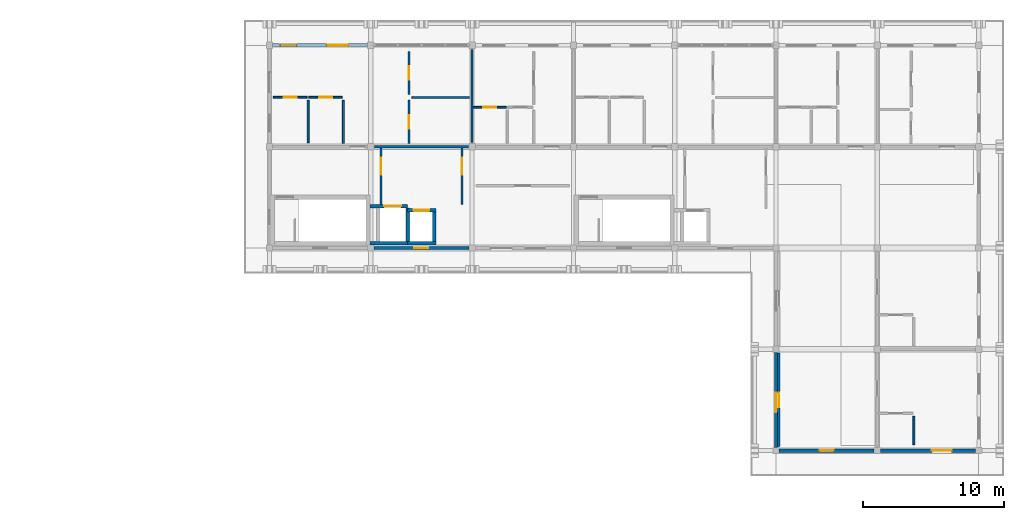
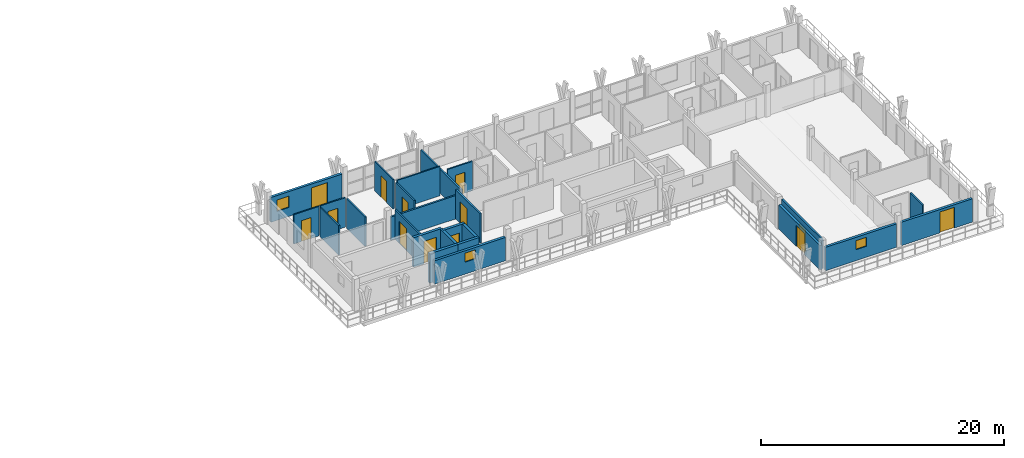
# One storey, part 23 of 32: 25 walls, 13 doors, 3 windows, 16 openings.
"""IFC4 building model written with IfcOpenShell, lengths in metres."""

from ifc_helpers import new_model, si_unit, direction, frame, frame_2d, origin, place, context, subcontext, project, spatial, rectangle, extrude, material, layer, layer_set, type_object, element, fill, save


model = new_model("IFC4")

# Units and contexts
model_context = context("Model", 3, precision=1e-05, world=origin(), true_north=direction((0.0, 1.0)))
body_context = subcontext(model_context, "Body", "Model", "MODEL_VIEW")
ifc_project = project(units=[si_unit("LENGTHUNIT", "METRE"), si_unit("AREAUNIT", "SQUARE_METRE"), si_unit("VOLUMEUNIT", "CUBIC_METRE"), si_unit("PLANEANGLEUNIT", "RADIAN"), si_unit("MASSUNIT", "GRAM", prefix="KILO")], contexts=[model_context])

# Site, building, storey
site_placement = place(None, origin())
site = spatial("IfcSite", under=ifc_project, at=site_placement, CompositionType="ELEMENT")
building_placement = place(site_placement, origin())
building = spatial("IfcBuilding", under=site, at=building_placement, Name="Suanplinth Sawtooth Commons", CompositionType="ELEMENT")
storey_placement = place(building_placement, frame((0.0, 0.0, 41.199951171875)))
storey = spatial("IfcBuildingStorey", under=building, at=storey_placement, Name="L12", CompositionType="ELEMENT", Elevation=41.199951171875)

# Wall, openings, door, window
ifc_material_1 = material(Name="Precast concrete C40/50", Category="concrete")
ifc_layer_1 = layer(ifc_material_1, 0.239990234375, Name="Upper insulated precast facade wall 240mm")
ifc_layer_set_1 = layer_set([ifc_layer_1], Name="Precast concrete C40/50")
wall_type_1 = type_object("IfcWallType", Name="W-EX03", PredefinedType="ELEMENTEDWALL", material=ifc_layer_set_1)
wall_1_placement = place(storey_placement, frame((137.02490234375, 122.39990234375, 0.0), z_axis=(0.0, 0.0, 1.0), x_axis=(1.0, 0.0, 0.0)))
wall_1 = element("IfcWall", 1, at=wall_1_placement, inside=storey, type_object=wall_type_1, Name="Facade Wall W-L12-B-N-19-16", PredefinedType="ELEMENTEDWALL", context=body_context, shape_type="SweptSolid", body=[
    extrude(rectangle(XDim=6.75, YDim=0.239990234375, at=frame_2d((3.375, 0.0))), origin(), (0.0, 0.0, 1.0), 2.4951171875),
])
opening_1_placement = place(wall_1_placement, frame((3.85009765625, 0.0, 0.0)))
opening_1 = element("IfcOpeningElement", 2, at=opening_1_placement, cuts=wall_1, Name="Opening ED0819", PredefinedType="OPENING", context=body_context, shape_type="SweptSolid", body=[
    extrude(rectangle(XDim=1.5, YDim=2.1201171875, at=frame_2d((0.75, 1.06005859375))), frame((0.0, 0.134765625, 0.0), z_axis=(0.0, -1.0, 0.0), x_axis=(1.0, 0.0, 0.0)), (0.0, 0.0, 1.0), 0.269775390625),
])
opening_2_placement = place(wall_1_placement, frame((0.550048828125, 0.0, 0.89990234375)))
opening_2 = element("IfcOpeningElement", 3, at=opening_2_placement, cuts=wall_1, Name="Opening W0903", PredefinedType="OPENING", context=body_context, shape_type="SweptSolid", body=[
    extrude(rectangle(XDim=1.14990234375, YDim=1.14990234375, at=frame_2d((0.574951171875, 0.574951171875))), frame((0.0, 0.134765625, 0.0), z_axis=(0.0, -1.0, 0.0), x_axis=(1.0, 0.0, 0.0)), (0.0, 0.0, 1.0), 0.269775390625),
])
ifc_material_2 = material(Name="Anodized aluminium and low-E glass", Category="aluminium")
door_type_1 = type_object("IfcDoorType", Name="SD-03", OperationType="SLIDING_TO_LEFT", PredefinedType="DOOR", material=ifc_material_2)
door_1_placement = place(opening_1_placement, frame((1.5, 0.0, 0.0), z_axis=(0.0, 0.0, 1.0), x_axis=(-1.0, 0.0, 0.0)))
door_1 = element("IfcDoor", 4, at=door_1_placement, inside=storey, type_object=door_type_1, Name="Balcony Sliding Door L12-B-19", OperationType="SLIDING_TO_LEFT", OverallHeight=2.1201171875, OverallWidth=1.5, PredefinedType="DOOR", context=body_context, shape_type="SweptSolid", body=[
    extrude(rectangle(XDim=1.5, YDim=2.1201171875, at=frame_2d((0.75, 1.06005859375))), frame((0.0, 0.02490234375, 0.0), z_axis=(0.0, -1.0, 0.0), x_axis=(1.0, 0.0, 0.0)), (0.0, 0.0, 1.0), 0.050048828125),
])
fill(opening_1, door_1)
ifc_material_3 = material(Name="Thermally broken aluminium and low-E double glazing", Category="aluminium")
window_type_1 = type_object("IfcWindowType", Name="WN-20", PartitioningType="SINGLE_PANEL", PredefinedType="WINDOW", material=ifc_material_3)
window_1_placement = place(opening_2_placement, origin())
window_1 = element("IfcWindow", 5, at=window_1_placement, inside=storey, type_object=window_type_1, Name="Apartment Window L12-B-19", OverallHeight=1.14990234375, OverallWidth=1.14990234375, PartitioningType="SINGLE_PANEL", PredefinedType="WINDOW", context=body_context, shape_type="SweptSolid", body=[
    extrude(rectangle(XDim=1.14990234375, YDim=1.14990234375, at=frame_2d((0.574951171875, 0.574951171875))), frame((0.0, 0.030029296875, 0.0), z_axis=(0.0, -1.0, 0.0), x_axis=(1.0, 0.0, 0.0)), (0.0, 0.0, 1.0), 0.06005859375),
])
fill(opening_2, window_1)

# Wall, opening, window
wall_2_placement = place(storey_placement, frame((144.22509765625, 108.0, 0.0), z_axis=(0.0, 0.0, 1.0), x_axis=(1.0, 0.0, 0.0)))
wall_2 = element("IfcWall", 6, at=wall_2_placement, inside=storey, type_object=wall_type_1, Name="Facade Wall W-L12-B-S-20-15", PredefinedType="ELEMENTEDWALL", context=body_context, shape_type="SweptSolid", body=[
    extrude(rectangle(XDim=6.75, YDim=0.239990234375, at=frame_2d((3.375, 0.0))), origin(), (0.0, 0.0, 1.0), 2.344970703125),
])
opening_3_placement = place(wall_2_placement, frame((2.875, 0.0, 1.199951171875)))
opening_3 = element("IfcOpeningElement", 7, at=opening_3_placement, cuts=wall_2, Name="Opening W0905", PredefinedType="OPENING", context=body_context, shape_type="SweptSolid", body=[
    extrude(rectangle(XDim=1.0, YDim=0.89990234375, at=frame_2d((0.5, 0.449951171875))), frame((0.0, 0.134765625, 0.0), z_axis=(0.0, -1.0, 0.0), x_axis=(1.0, 0.0, 0.0)), (0.0, 0.0, 1.0), 0.269775390625),
])
window_type_2 = type_object("IfcWindowType", Name="WN-12", PartitioningType="SINGLE_PANEL", PredefinedType="WINDOW", material=ifc_material_3)
window_2_placement = place(opening_3_placement, origin())
window_2 = element("IfcWindow", 8, at=window_2_placement, inside=storey, type_object=window_type_2, Name="Core Daylight Window L12-B-20-15", OverallHeight=0.89990234375, OverallWidth=1.0, PartitioningType="SINGLE_PANEL", PredefinedType="WINDOW", context=body_context, shape_type="SweptSolid", body=[
    extrude(rectangle(XDim=1.0, YDim=0.89990234375, at=frame_2d((0.5, 0.449951171875))), frame((0.0, 0.030029296875, 0.0), z_axis=(0.0, -1.0, 0.0), x_axis=(1.0, 0.0, 0.0)), (0.0, 0.0, 1.0), 0.06005859375),
])
fill(opening_3, window_2)

wall_3_placement = place(storey_placement, frame((173.02490234375, 93.60009765625, 0.0), z_axis=(0.0, 0.0, 1.0), x_axis=(1.0, 0.0, 0.0)))
wall_3 = element("IfcWall", 9, at=wall_3_placement, inside=storey, type_object=wall_type_1, Name="Facade Wall W-L12-B-S-24-13", PredefinedType="ELEMENTEDWALL", context=body_context, shape_type="SweptSolid", body=[
    extrude(rectangle(XDim=6.75, YDim=0.239990234375, at=frame_2d((3.375, 0.0))), origin(), (0.0, 0.0, 1.0), 2.344970703125),
])
opening_4_placement = place(wall_3_placement, frame((2.875, 0.0, 1.10009765625)))
opening_4 = element("IfcOpeningElement", 10, at=opening_4_placement, cuts=wall_3, Name="Opening W0911", PredefinedType="OPENING", context=body_context, shape_type="SweptSolid", body=[
    extrude(rectangle(XDim=1.0, YDim=0.89990234375, at=frame_2d((0.5, 0.449951171875))), frame((0.0, 0.134765625, 0.0), z_axis=(0.0, -1.0, 0.0), x_axis=(1.0, 0.0, 0.0)), (0.0, 0.0, 1.0), 0.269775390625),
])
window_3_placement = place(opening_4_placement, origin())
window_3 = element("IfcWindow", 11, at=window_3_placement, inside=storey, type_object=window_type_2, Name="End Window L12-B-S-24-13", OverallHeight=0.89990234375, OverallWidth=1.0, PartitioningType="SINGLE_PANEL", PredefinedType="WINDOW", context=body_context, shape_type="SweptSolid", body=[
    extrude(rectangle(XDim=1.0, YDim=0.89990234375, at=frame_2d((0.5, 0.449951171875))), frame((0.0, 0.030029296875, 0.0), z_axis=(0.0, -1.0, 0.0), x_axis=(1.0, 0.0, 0.0)), (0.0, 0.0, 1.0), 0.06005859375),
])
fill(opening_4, window_3)

# Wall, opening, door
wall_4_placement = place(storey_placement, frame((172.800048828125, 93.824951171875, 0.0), z_axis=(0.0, 0.0, 1.0), x_axis=(0.0, 1.0, 0.0)))
wall_4 = element("IfcWall", 12, at=wall_4_placement, inside=storey, type_object=wall_type_1, Name="Facade Wall W-L12-B-W-24-13", PredefinedType="ELEMENTEDWALL", context=body_context, shape_type="SweptSolid", body=[
    extrude(rectangle(XDim=6.75, YDim=0.239990234375, at=frame_2d((3.375, 0.0))), origin(), (0.0, 0.0, 1.0), 2.445068359375),
])
opening_5_placement = place(wall_4_placement, frame((2.5, 0.0, 0.0)))
opening_5 = element("IfcOpeningElement", 13, at=opening_5_placement, cuts=wall_4, Name="Opening ED0824", PredefinedType="OPENING", context=body_context, shape_type="SweptSolid", body=[
    extrude(rectangle(XDim=1.39990234375, YDim=2.10009765625, at=frame_2d((0.699951171875, 1.050048828125))), frame((0.0, 0.134765625, 0.0), z_axis=(0.0, -1.0, 0.0), x_axis=(1.0, 0.0, 0.0)), (0.0, 0.0, 1.0), 0.269775390625),
])
door_type_2 = type_object("IfcDoorType", Name="SD-07", OperationType="SLIDING_TO_RIGHT", PredefinedType="DOOR", material=ifc_material_2)
door_2_placement = place(opening_5_placement, frame((1.39990234375, 0.0, 0.0), z_axis=(0.0, 0.0, 1.0), x_axis=(-1.0, 0.0, 0.0)))
door_2 = element("IfcDoor", 14, at=door_2_placement, inside=storey, type_object=door_type_2, Name="Courtyard Veranda Studio Balcony Door L12-B-13", OperationType="SLIDING_TO_RIGHT", OverallHeight=2.10009765625, OverallWidth=1.39990234375, PredefinedType="DOOR", context=body_context, shape_type="SweptSolid", body=[
    extrude(rectangle(XDim=1.39990234375, YDim=2.10009765625, at=frame_2d((0.699951171875, 1.050048828125))), frame((0.0, 0.02490234375, 0.0), z_axis=(0.0, -1.0, 0.0), x_axis=(1.0, 0.0, 0.0)), (0.0, 0.0, 1.0), 0.050048828125),
])
fill(opening_5, door_2)

wall_5_placement = place(storey_placement, frame((180.22509765625, 93.60009765625, 0.0), z_axis=(0.0, 0.0, 1.0), x_axis=(1.0, 0.0, 0.0)))
wall_5 = element("IfcWall", 15, at=wall_5_placement, inside=storey, type_object=wall_type_1, Name="Facade Wall W-L12-B-S-25-13", PredefinedType="ELEMENTEDWALL", context=body_context, shape_type="SweptSolid", body=[
    extrude(rectangle(XDim=6.75, YDim=0.239990234375, at=frame_2d((3.375, 0.0))), origin(), (0.0, 0.0, 1.0), 2.344970703125),
])
opening_6_placement = place(wall_5_placement, frame((3.64990234375, 0.0, 0.0)))
opening_6 = element("IfcOpeningElement", 16, at=opening_6_placement, cuts=wall_5, Name="Opening ED0827", PredefinedType="OPENING", context=body_context, shape_type="SweptSolid", body=[
    extrude(rectangle(XDim=1.39990234375, YDim=2.10009765625, at=frame_2d((0.699951171875, 1.050048828125))), frame((0.0, 0.134765625, 0.0), z_axis=(0.0, -1.0, 0.0), x_axis=(1.0, 0.0, 0.0)), (0.0, 0.0, 1.0), 0.269775390625),
])
door_3_placement = place(opening_6_placement, frame((1.39990234375, 0.0, 0.0), z_axis=(0.0, 0.0, 1.0), x_axis=(-1.0, 0.0, 0.0)))
door_3 = element("IfcDoor", 17, at=door_3_placement, inside=storey, type_object=door_type_2, Name="End Balcony Sliding Door L12-B-S-25-13", OperationType="SLIDING_TO_RIGHT", OverallHeight=2.10009765625, OverallWidth=1.39990234375, PredefinedType="DOOR", context=body_context, shape_type="SweptSolid", body=[
    extrude(rectangle(XDim=1.39990234375, YDim=2.10009765625, at=frame_2d((0.699951171875, 1.050048828125))), frame((0.0, 0.02490234375, 0.0), z_axis=(0.0, -1.0, 0.0), x_axis=(1.0, 0.0, 0.0)), (0.0, 0.0, 1.0), 0.050048828125),
])
fill(opening_6, door_3)

ifc_layer_2 = layer(ifc_material_1, 0.159912109375, Name="Fire-rated corridor and lobby wall 160mm")
ifc_layer_set_2 = layer_set([ifc_layer_2], Name="Precast concrete C40/50")
wall_type_2 = type_object("IfcWallType", Name="W-FW01", PredefinedType="PARTITIONING", material=ifc_layer_set_2)
wall_6_placement = place(storey_placement, frame((144.719970703125, 111.10009765625, 0.0), z_axis=(0.0, 0.0, 1.0), x_axis=(0.0, 1.0, 0.0)))
wall_6 = element("IfcWall", 18, at=wall_6_placement, inside=storey, type_object=wall_type_2, Name="W-L12-C-B1-LOB-W", PredefinedType="PARTITIONING", context=body_context, shape_type="SweptSolid", body=[
    extrude(rectangle(XDim=4.02001953125, YDim=0.159912109375, at=frame_2d((2.010009765625, 0.0))), origin(), (0.0, 0.0, 1.0), 2.949951171875),
])
opening_7_placement = place(wall_6_placement, frame((2.10009765625, 0.0, 0.0)))
opening_7 = element("IfcOpeningElement", 19, at=opening_7_placement, cuts=wall_6, Name="Opening FD0220", PredefinedType="OPENING", context=body_context, shape_type="SweptSolid", body=[
    extrude(rectangle(XDim=1.199951171875, YDim=2.199951171875, at=frame_2d((0.60009765625, 1.10009765625))), frame((0.0, 0.0947265625, 0.0), z_axis=(0.0, -1.0, 0.0), x_axis=(1.0, 0.0, 0.0)), (0.0, 0.0, 1.0), 0.189697265625),
])
ifc_material_4 = material(Name="Teak hardwood fire-rated door assembly", Category="wood")
door_type_3 = type_object("IfcDoorType", Name="FD-02", OperationType="NOTDEFINED", PredefinedType="DOOR", material=ifc_material_4)
door_4_placement = place(opening_7_placement, origin())
door_4 = element("IfcDoor", 20, at=door_4_placement, inside=storey, type_object=door_type_3, Name="Lobby Fire Door FD0220", OperationType="SINGLE_SWING_RIGHT", OverallHeight=2.199951171875, OverallWidth=1.199951171875, PredefinedType="DOOR", context=body_context, shape_type="SweptSolid", body=[
    extrude(rectangle(XDim=1.199951171875, YDim=2.199951171875, at=frame_2d((0.60009765625, 1.10009765625))), frame((0.0, 0.02490234375, 0.0), z_axis=(0.0, -1.0, 0.0), x_axis=(1.0, 0.0, 0.0)), (0.0, 0.0, 1.0), 0.050048828125),
])
fill(opening_7, door_4)

wall_7_placement = place(storey_placement, frame((150.47998046875, 111.10009765625, 0.0), z_axis=(0.0, 0.0, 1.0), x_axis=(0.0, 1.0, 0.0)))
wall_7 = element("IfcWall", 21, at=wall_7_placement, inside=storey, type_object=wall_type_2, Name="W-L12-C-B1-LOB-E", PredefinedType="PARTITIONING", context=body_context, shape_type="SweptSolid", body=[
    extrude(rectangle(XDim=4.02001953125, YDim=0.159912109375, at=frame_2d((2.010009765625, 0.0))), origin(), (0.0, 0.0, 1.0), 2.949951171875),
])
opening_8_placement = place(wall_7_placement, frame((2.10009765625, 0.0, 0.0)))
opening_8 = element("IfcOpeningElement", 22, at=opening_8_placement, cuts=wall_7, Name="Opening FD0221", PredefinedType="OPENING", context=body_context, shape_type="SweptSolid", body=[
    extrude(rectangle(XDim=1.199951171875, YDim=2.199951171875, at=frame_2d((0.60009765625, 1.10009765625))), frame((0.0, 0.0947265625, 0.0), z_axis=(0.0, -1.0, 0.0), x_axis=(1.0, 0.0, 0.0)), (0.0, 0.0, 1.0), 0.189697265625),
])
door_5_placement = place(opening_8_placement, frame((1.199951171875, 0.0, 0.0), z_axis=(0.0, 0.0, 1.0), x_axis=(-1.0, 0.0, 0.0)))
door_5 = element("IfcDoor", 23, at=door_5_placement, inside=storey, type_object=door_type_3, Name="Lobby Fire Door FD0221", OperationType="SINGLE_SWING_LEFT", OverallHeight=2.199951171875, OverallWidth=1.199951171875, PredefinedType="DOOR", context=body_context, shape_type="SweptSolid", body=[
    extrude(rectangle(XDim=1.199951171875, YDim=2.199951171875, at=frame_2d((0.60009765625, 1.10009765625))), frame((0.0, 0.02490234375, 0.0), z_axis=(0.0, -1.0, 0.0), x_axis=(1.0, 0.0, 0.0)), (0.0, 0.0, 1.0), 0.050048828125),
])
fill(opening_8, door_5)

# Wall
wall_8_placement = place(storey_placement, frame((144.2548828125, 115.199951171875, 0.0), z_axis=(0.0, 0.0, 1.0), x_axis=(1.0, 0.0, 0.0)))
element("IfcWall", 24, at=wall_8_placement, inside=storey, type_object=wall_type_2, Name="W-B-L12-U01-COR-S2", PredefinedType="PARTITIONING", context=body_context, shape_type="SweptSolid", body=[
    extrude(rectangle(XDim=6.690185546875, YDim=0.159912109375, at=frame_2d((3.34521484375, 0.0))), origin(), (0.0, 0.0, 1.0), 2.344970703125),
])

# Wall, opening, door
wall_9_placement = place(storey_placement, frame((173.0, 93.8798828125, 0.0), z_axis=(0.0, 0.0, 1.0), x_axis=(0.0, 1.0, 0.0)))
wall_9 = element("IfcWall", 25, at=wall_9_placement, inside=storey, type_object=wall_type_2, Name="W-B-L12-LEGCOURTROOM-18-COR", PredefinedType="PARTITIONING", context=body_context, shape_type="SweptSolid", body=[
    extrude(rectangle(XDim=6.64013671875, YDim=0.159912109375, at=frame_2d((3.320068359375, 0.0))), origin(), (0.0, 0.0, 1.0), 2.949951171875),
])
opening_9_placement = place(wall_9_placement, frame((2.81005859375, 0.0, 0.0)))
opening_9 = element("IfcOpeningElement", 26, at=opening_9_placement, cuts=wall_9, Name="Opening D2034", PredefinedType="OPENING", context=body_context, shape_type="SweptSolid", body=[
    extrude(rectangle(XDim=1.02001953125, YDim=2.179931640625, at=frame_2d((0.510009765625, 1.08984375))), frame((0.0, 0.0947265625, 0.0), z_axis=(0.0, -1.0, 0.0), x_axis=(1.0, 0.0, 0.0)), (0.0, 0.0, 1.0), 0.189697265625),
])
ifc_material_5 = material(Name="Teak hardwood", Category="wood")
door_type_4 = type_object("IfcDoorType", Name="D-16", OperationType="NOTDEFINED", PredefinedType="DOOR", material=ifc_material_5)
door_6_placement = place(opening_9_placement, origin())
door_6 = element("IfcDoor", 27, at=door_6_placement, inside=storey, type_object=door_type_4, Name="Veranda Studio Door D2034", OperationType="SINGLE_SWING_RIGHT", OverallHeight=2.179931640625, OverallWidth=1.02001953125, PredefinedType="DOOR", context=body_context, shape_type="SweptSolid", body=[
    extrude(rectangle(XDim=1.02001953125, YDim=2.179931640625, at=frame_2d((0.510009765625, 1.08984375))), frame((0.0, 0.02490234375, 0.0), z_axis=(0.0, -1.0, 0.0), x_axis=(1.0, 0.0, 0.0)), (0.0, 0.0, 1.0), 0.050048828125),
])
fill(opening_9, door_6)

# Wall
ifc_layer_3 = layer(ifc_material_1, 0.14990234375, Name="Acoustic precast party demising wall 150mm")
ifc_layer_set_3 = layer_set([ifc_layer_3], Name="Precast concrete C40/50")
wall_type_3 = type_object("IfcWallType", Name="W-FW02", PredefinedType="PARTITIONING", material=ifc_layer_set_3)
wall_10_placement = place(storey_placement, frame((151.199951171875, 115.47998046875, 0.0), z_axis=(0.0, 0.0, 1.0), x_axis=(0.0, 1.0, 0.0)))
element("IfcWall", 28, at=wall_10_placement, inside=storey, type_object=wall_type_3, Name="W-B-L12-U01-PTY", PredefinedType="PARTITIONING", context=body_context, shape_type="SweptSolid", body=[
    extrude(rectangle(XDim=6.64013671875, YDim=0.14990234375, at=frame_2d((3.320068359375, 0.0))), origin(), (0.0, 0.0, 1.0), 2.445068359375),
])

# Wall, opening, door
ifc_material_6 = material(Name="Gypsum plasterboard on steel stud", Category="steel")
ifc_layer_4 = layer(ifc_material_6, 0.139892578125, Name="Fire-rated kitchen partition 140mm")
ifc_layer_set_4 = layer_set([ifc_layer_4], Name="Gypsum plasterboard on steel stud")
wall_type_4 = type_object("IfcWallType", Name="W-PT01", PredefinedType="PARTITIONING", material=ifc_layer_set_4)
wall_11_placement = place(storey_placement, frame((139.60009765625, 118.7099609375, 0.0), z_axis=(0.0, 0.0, 1.0), x_axis=(1.0, 0.0, 0.0)))
wall_11 = element("IfcWall", 29, at=wall_11_placement, inside=storey, type_object=wall_type_4, Name="W-B-L12-U01-KIT1", PredefinedType="PARTITIONING", context=body_context, shape_type="SweptSolid", body=[
    extrude(rectangle(XDim=2.3798828125, YDim=0.139892578125, at=frame_2d((1.18994140625, 0.0))), origin(), (0.0, 0.0, 1.0), 2.949951171875),
])
opening_10_placement = place(wall_11_placement, frame((0.72509765625, 0.0, 0.0)))
opening_10 = element("IfcOpeningElement", 30, at=opening_10_placement, cuts=wall_11, Name="Opening D2012", PredefinedType="OPENING", context=body_context, shape_type="SweptSolid", body=[
    extrude(rectangle(XDim=0.929931640625, YDim=2.139892578125, at=frame_2d((0.46484375, 1.06982421875))), frame((0.0, 0.0849609375, 0.0), z_axis=(0.0, -1.0, 0.0), x_axis=(1.0, 0.0, 0.0)), (0.0, 0.0, 1.0), 0.169677734375),
])
door_type_5 = type_object("IfcDoorType", Name="D-19", OperationType="NOTDEFINED", PredefinedType="DOOR", material=ifc_material_5)
door_7_placement = place(opening_10_placement, frame((0.929931640625, 0.0, 0.0), z_axis=(0.0, 0.0, 1.0), x_axis=(-1.0, 0.0, 0.0)))
door_7 = element("IfcDoor", 31, at=door_7_placement, inside=storey, type_object=door_type_5, Name="Kitchen Door D2012", OperationType="SINGLE_SWING_RIGHT", OverallHeight=2.139892578125, OverallWidth=0.929931640625, PredefinedType="DOOR", context=body_context, shape_type="SweptSolid", body=[
    extrude(rectangle(XDim=0.929931640625, YDim=2.139892578125, at=frame_2d((0.46484375, 1.06982421875))), frame((0.0, 0.02490234375, 0.0), z_axis=(0.0, -1.0, 0.0), x_axis=(1.0, 0.0, 0.0)), (0.0, 0.0, 1.0), 0.050048828125),
])
fill(opening_10, door_7)

# Wall
wall_12_placement = place(storey_placement, frame((142.050048828125, 115.429931640625, 0.0), z_axis=(0.0, 0.0, 1.0), x_axis=(0.0, 1.0, 0.0)))
element("IfcWall", 32, at=wall_12_placement, inside=storey, type_object=wall_type_4, Name="W-B-L12-U01-KIT2", PredefinedType="PARTITIONING", context=body_context, shape_type="SweptSolid", body=[
    extrude(rectangle(XDim=3.06005859375, YDim=0.139892578125, at=frame_2d((1.530029296875, 0.0))), origin(), (0.0, 0.0, 1.0), 2.949951171875),
])

# Wall, opening, door
ifc_layer_5 = layer(ifc_material_6, 0.1298828125, Name="Moisture-resistant bathroom partition 130mm")
ifc_layer_set_5 = layer_set([ifc_layer_5], Name="Gypsum plasterboard on steel stud")
wall_type_5 = type_object("IfcWallType", Name="W-PT02", PredefinedType="PARTITIONING", material=ifc_layer_set_5)
wall_13_placement = place(storey_placement, frame((137.080078125, 118.705078125, 0.0), z_axis=(0.0, 0.0, 1.0), x_axis=(1.0, 0.0, 0.0)))
wall_13 = element("IfcWall", 33, at=wall_13_placement, inside=storey, type_object=wall_type_5, Name="W-B-L12-U01-BTH1", PredefinedType="PARTITIONING", context=body_context, shape_type="SweptSolid", body=[
    extrude(rectangle(XDim=2.39990234375, YDim=0.1298828125, at=frame_2d((1.199951171875, 0.0))), origin(), (0.0, 0.0, 1.0), 2.949951171875),
])
opening_11_placement = place(wall_13_placement, frame((0.75, 0.0, 0.0)))
opening_11 = element("IfcOpeningElement", 34, at=opening_11_placement, cuts=wall_13, Name="Opening D2011", PredefinedType="OPENING", context=body_context, shape_type="SweptSolid", body=[
    extrude(rectangle(XDim=0.89990234375, YDim=2.10009765625, at=frame_2d((0.449951171875, 1.050048828125))), frame((0.0, 0.079833984375, 0.0), z_axis=(0.0, -1.0, 0.0), x_axis=(1.0, 0.0, 0.0)), (0.0, 0.0, 1.0), 0.15966796875),
])
door_type_6 = type_object("IfcDoorType", Name="D-01", OperationType="NOTDEFINED", PredefinedType="DOOR", material=ifc_material_5)
door_8_placement = place(opening_11_placement, frame((0.89990234375, 0.0, 0.0), z_axis=(0.0, 0.0, 1.0), x_axis=(-1.0, 0.0, 0.0)))
door_8 = element("IfcDoor", 35, at=door_8_placement, inside=storey, type_object=door_type_6, Name="Bathroom Door D2011", OperationType="SINGLE_SWING_LEFT", OverallHeight=2.10009765625, OverallWidth=0.89990234375, PredefinedType="DOOR", context=body_context, shape_type="SweptSolid", body=[
    extrude(rectangle(XDim=0.89990234375, YDim=2.10009765625, at=frame_2d((0.449951171875, 1.050048828125))), frame((0.0, 0.02490234375, 0.0), z_axis=(0.0, -1.0, 0.0), x_axis=(1.0, 0.0, 0.0)), (0.0, 0.0, 1.0), 0.050048828125),
])
fill(opening_11, door_8)

# Wall
wall_14_placement = place(storey_placement, frame((139.544921875, 115.4599609375, 0.0), z_axis=(0.0, 0.0, 1.0), x_axis=(0.0, 1.0, 0.0)))
element("IfcWall", 36, at=wall_14_placement, inside=storey, type_object=wall_type_5, Name="W-B-L12-U01-BTH2", PredefinedType="PARTITIONING", context=body_context, shape_type="SweptSolid", body=[
    extrude(rectangle(XDim=3.0400390625, YDim=0.1298828125, at=frame_2d((1.52001953125, 0.0))), origin(), (0.0, 0.0, 1.0), 2.949951171875),
])

# Wall, opening, door
wall_15_placement = place(storey_placement, frame((151.280029296875, 117.9951171875, 0.0), z_axis=(0.0, 0.0, 1.0), x_axis=(1.0, 0.0, 0.0)))
wall_15 = element("IfcWall", 37, at=wall_15_placement, inside=storey, type_object=wall_type_5, Name="W-B-L12-U02-BTH1", PredefinedType="PARTITIONING", context=body_context, shape_type="SweptSolid", body=[
    extrude(rectangle(XDim=2.349853515625, YDim=0.1298828125, at=frame_2d((1.1748046875, 0.0))), origin(), (0.0, 0.0, 1.0), 2.949951171875),
])
opening_12_placement = place(wall_15_placement, frame((0.72509765625, 0.0, 0.0)))
opening_12 = element("IfcOpeningElement", 38, at=opening_12_placement, cuts=wall_15, Name="Opening D2016", PredefinedType="OPENING", context=body_context, shape_type="SweptSolid", body=[
    extrude(rectangle(XDim=0.89990234375, YDim=2.10009765625, at=frame_2d((0.449951171875, 1.050048828125))), frame((0.0, 0.079833984375, 0.0), z_axis=(0.0, -1.0, 0.0), x_axis=(1.0, 0.0, 0.0)), (0.0, 0.0, 1.0), 0.15966796875),
])
door_9_placement = place(opening_12_placement, frame((0.89990234375, 0.0, 0.0), z_axis=(0.0, 0.0, 1.0), x_axis=(-1.0, 0.0, 0.0)))
door_9 = element("IfcDoor", 39, at=door_9_placement, inside=storey, type_object=door_type_6, Name="Bathroom Door D2016", OperationType="SINGLE_SWING_RIGHT", OverallHeight=2.10009765625, OverallWidth=0.89990234375, PredefinedType="DOOR", context=body_context, shape_type="SweptSolid", body=[
    extrude(rectangle(XDim=0.89990234375, YDim=2.10009765625, at=frame_2d((0.449951171875, 1.050048828125))), frame((0.0, 0.02490234375, 0.0), z_axis=(0.0, -1.0, 0.0), x_axis=(1.0, 0.0, 0.0)), (0.0, 0.0, 1.0), 0.050048828125),
])
fill(opening_12, door_9)

# Wall
wall_16_placement = place(storey_placement, frame((182.594970703125, 94.030029296875, 0.0), z_axis=(0.0, 0.0, 1.0), x_axis=(0.0, 1.0, 0.0)))
element("IfcWall", 40, at=wall_16_placement, inside=storey, type_object=wall_type_5, Name="W-B-L12-L01-BTH2", PredefinedType="PARTITIONING", context=body_context, shape_type="SweptSolid", body=[
    extrude(rectangle(XDim=2.0, YDim=0.1298828125, at=frame_2d((1.0, 0.0))), origin(), (0.0, 0.0, 1.0), 2.949951171875),
])

# Wall, opening, door
ifc_layer_6 = layer(ifc_material_6, 0.1201171875, Name="Acoustic bedroom partition 120mm")
ifc_layer_set_6 = layer_set([ifc_layer_6], Name="Gypsum plasterboard on steel stud")
wall_type_6 = type_object("IfcWallType", Name="W-PT03", PredefinedType="PARTITIONING", material=ifc_layer_set_6)
wall_17_placement = place(storey_placement, frame((146.719970703125, 118.919921875, 0.0), z_axis=(0.0, 0.0, 1.0), x_axis=(0.0, 1.0, 0.0)))
wall_17 = element("IfcWall", 41, at=wall_17_placement, inside=storey, type_object=wall_type_6, Name="W-B-L12-U01-BED1", PredefinedType="PARTITIONING", context=body_context, shape_type="SweptSolid", body=[
    extrude(rectangle(XDim=3.0400390625, YDim=0.1201171875, at=frame_2d((1.52001953125, 0.0))), origin(), (0.0, 0.0, 1.0), 2.949951171875),
])
opening_13_placement = place(wall_17_placement, frame((1.044921875, 0.0, 0.0)))
opening_13 = element("IfcOpeningElement", 42, at=opening_13_placement, cuts=wall_17, Name="Opening D2013", PredefinedType="OPENING", context=body_context, shape_type="SweptSolid", body=[
    extrude(rectangle(XDim=0.949951171875, YDim=2.14990234375, at=frame_2d((0.47509765625, 1.074951171875))), frame((0.0, 0.074951171875, 0.0), z_axis=(0.0, -1.0, 0.0), x_axis=(1.0, 0.0, 0.0)), (0.0, 0.0, 1.0), 0.14990234375),
])
door_type_7 = type_object("IfcDoorType", Name="D-03", OperationType="NOTDEFINED", PredefinedType="DOOR", material=ifc_material_5)
door_10_placement = place(opening_13_placement, frame((0.949951171875, 0.0, 0.0), z_axis=(0.0, 0.0, 1.0), x_axis=(-1.0, 0.0, 0.0)))
door_10 = element("IfcDoor", 43, at=door_10_placement, inside=storey, type_object=door_type_7, Name="Bedroom Door D2013", OperationType="SINGLE_SWING_LEFT", OverallHeight=2.14990234375, OverallWidth=0.949951171875, PredefinedType="DOOR", context=body_context, shape_type="SweptSolid", body=[
    extrude(rectangle(XDim=0.949951171875, YDim=2.14990234375, at=frame_2d((0.47509765625, 1.074951171875))), frame((0.0, 0.02490234375, 0.0), z_axis=(0.0, -1.0, 0.0), x_axis=(1.0, 0.0, 0.0)), (0.0, 0.0, 1.0), 0.050048828125),
])
fill(opening_13, door_10)

wall_18_placement = place(storey_placement, frame((146.719970703125, 115.43994140625, 0.0), z_axis=(0.0, 0.0, 1.0), x_axis=(0.0, 1.0, 0.0)))
wall_18 = element("IfcWall", 44, at=wall_18_placement, inside=storey, type_object=wall_type_6, Name="W-B-L12-U01-BED2", PredefinedType="PARTITIONING", context=body_context, shape_type="SweptSolid", body=[
    extrude(rectangle(XDim=3.0400390625, YDim=0.1201171875, at=frame_2d((1.52001953125, 0.0))), origin(), (0.0, 0.0, 1.0), 2.949951171875),
])
opening_14_placement = place(wall_18_placement, frame((1.0400390625, 0.0, 0.0)))
opening_14 = element("IfcOpeningElement", 45, at=opening_14_placement, cuts=wall_18, Name="Opening D2014", PredefinedType="OPENING", context=body_context, shape_type="SweptSolid", body=[
    extrude(rectangle(XDim=0.9599609375, YDim=2.14990234375, at=frame_2d((0.47998046875, 1.074951171875))), frame((0.0, 0.074951171875, 0.0), z_axis=(0.0, -1.0, 0.0), x_axis=(1.0, 0.0, 0.0)), (0.0, 0.0, 1.0), 0.14990234375),
])
door_type_8 = type_object("IfcDoorType", Name="D-13", OperationType="NOTDEFINED", PredefinedType="DOOR", material=ifc_material_5)
door_11_placement = place(opening_14_placement, frame((0.9599609375, 0.0, 0.0), z_axis=(0.0, 0.0, 1.0), x_axis=(-1.0, 0.0, 0.0)))
door_11 = element("IfcDoor", 46, at=door_11_placement, inside=storey, type_object=door_type_8, Name="Second Bedroom Door D2014", OperationType="SINGLE_SWING_RIGHT", OverallHeight=2.14990234375, OverallWidth=0.9599609375, PredefinedType="DOOR", context=body_context, shape_type="SweptSolid", body=[
    extrude(rectangle(XDim=0.9599609375, YDim=2.14990234375, at=frame_2d((0.47998046875, 1.074951171875))), frame((0.0, 0.02490234375, 0.0), z_axis=(0.0, -1.0, 0.0), x_axis=(1.0, 0.0, 0.0)), (0.0, 0.0, 1.0), 0.050048828125),
])
fill(opening_14, door_11)

# Walls
ifc_layer_7 = layer(ifc_material_6, 0.125, Name="Acoustic study partition 125mm")
ifc_layer_set_7 = layer_set([ifc_layer_7], Name="Gypsum plasterboard on steel stud")
wall_type_7 = type_object("IfcWallType", Name="W-PT06", PredefinedType="PARTITIONING", material=ifc_layer_set_7)
wall_19_placement = place(storey_placement, frame((146.919921875, 118.699951171875, 0.0), z_axis=(0.0, 0.0, 1.0), x_axis=(1.0, 0.0, 0.0)))
element("IfcWall", 47, at=wall_19_placement, inside=storey, type_object=wall_type_7, Name="W-B-L12-U01-BEDDIV", PredefinedType="PARTITIONING", context=body_context, shape_type="SweptSolid", body=[
    extrude(rectangle(XDim=4.06005859375, YDim=0.125, at=frame_2d((2.030029296875, 0.0))), origin(), (0.0, 0.0, 1.0), 2.949951171875),
])
ifc_layer_8 = layer(ifc_material_1, 0.25, Name="Precast structural shear wall 250mm")
ifc_layer_set_8 = layer_set([ifc_layer_8], Name="Precast concrete C40/50")
wall_type_8 = type_object("IfcWallType", Name="W-SH01", PredefinedType="SHEAR", material=ifc_layer_set_8)
wall_20_placement = place(storey_placement, frame((143.949951171875, 108.324951171875, 0.0), z_axis=(0.0, 0.0, 1.0), x_axis=(1.0, 0.0, 0.0)))
element("IfcWall", 48, at=wall_20_placement, inside=storey, type_object=wall_type_8, Name="W-L12-FL2-S", PredefinedType="SHEAR", context=body_context, shape_type="SweptSolid", body=[
    extrude(rectangle(XDim=2.675048828125, YDim=0.25, at=frame_2d((1.33740234375, 0.0))), origin(), (0.0, 0.0, 1.0), 2.949951171875),
])

# Wall, opening, door
wall_21_placement = place(storey_placement, frame((143.949951171875, 110.97509765625, 0.0), z_axis=(0.0, 0.0, 1.0), x_axis=(1.0, 0.0, 0.0)))
wall_21 = element("IfcWall", 49, at=wall_21_placement, inside=storey, type_object=wall_type_8, Name="W-L12-FL2-N", PredefinedType="SHEAR", context=body_context, shape_type="SweptSolid", body=[
    extrude(rectangle(XDim=2.675048828125, YDim=0.25, at=frame_2d((1.33740234375, 0.0))), origin(), (0.0, 0.0, 1.0), 2.949951171875),
])
opening_15_placement = place(wall_21_placement, frame((1.0, 0.0, 0.0)))
opening_15 = element("IfcOpeningElement", 50, at=opening_15_placement, cuts=wall_21, Name="Opening LD0222", PredefinedType="OPENING", context=body_context, shape_type="SweptSolid", body=[
    extrude(rectangle(XDim=1.199951171875, YDim=2.25, at=frame_2d((0.60009765625, 1.125))), frame((0.0, 0.139892578125, 0.0), z_axis=(0.0, -1.0, 0.0), x_axis=(1.0, 0.0, 0.0)), (0.0, 0.0, 1.0), 0.27978515625),
])
ifc_material_7 = material(Name="Stainless steel Grade 304", Category="steel")
door_type_9 = type_object("IfcDoorType", Name="LD-02", OperationType="SLIDING_TO_LEFT", PredefinedType="DOOR", material=ifc_material_7)
door_12_placement = place(opening_15_placement, origin())
door_12 = element("IfcDoor", 51, at=door_12_placement, inside=storey, type_object=door_type_9, Name="Lift Landing Sliding Door FL2 L12", OperationType="SLIDING_TO_LEFT", OverallHeight=2.25, OverallWidth=1.199951171875, PredefinedType="DOOR", context=body_context, shape_type="SweptSolid", body=[
    extrude(rectangle(XDim=1.199951171875, YDim=2.25, at=frame_2d((0.60009765625, 1.125))), frame((0.0, 0.02490234375, 0.0), z_axis=(0.0, -1.0, 0.0), x_axis=(1.0, 0.0, 0.0)), (0.0, 0.0, 1.0), 0.050048828125),
])
fill(opening_15, door_12)

# Walls
wall_22_placement = place(storey_placement, frame((146.625, 108.449951171875, 0.0), z_axis=(0.0, 0.0, 1.0), x_axis=(0.0, 1.0, 0.0)))
element("IfcWall", 52, at=wall_22_placement, inside=storey, type_object=wall_type_8, Name="W-L12-FL2-DIV", PredefinedType="SHEAR", context=body_context, shape_type="SweptSolid", body=[
    extrude(rectangle(XDim=2.400146484375, YDim=0.25, at=frame_2d((1.2001953125, 0.0))), origin(), (0.0, 0.0, 1.0), 2.949951171875),
])
wall_23_placement = place(storey_placement, frame((146.625, 108.324951171875, 0.0), z_axis=(0.0, 0.0, 1.0), x_axis=(1.0, 0.0, 0.0)))
element("IfcWall", 53, at=wall_23_placement, inside=storey, type_object=wall_type_8, Name="W-L12-LF3-S", PredefinedType="SHEAR", context=body_context, shape_type="SweptSolid", body=[
    extrude(rectangle(XDim=2.02490234375, YDim=0.25, at=frame_2d((1.012451171875, 0.0))), origin(), (0.0, 0.0, 1.0), 2.949951171875),
])

# Wall, opening, door
wall_24_placement = place(storey_placement, frame((146.625, 110.675048828125, 0.0), z_axis=(0.0, 0.0, 1.0), x_axis=(1.0, 0.0, 0.0)))
wall_24 = element("IfcWall", 54, at=wall_24_placement, inside=storey, type_object=wall_type_8, Name="W-L12-LF3-N", PredefinedType="SHEAR", context=body_context, shape_type="SweptSolid", body=[
    extrude(rectangle(XDim=2.02490234375, YDim=0.25, at=frame_2d((1.012451171875, 0.0))), origin(), (0.0, 0.0, 1.0), 2.949951171875),
])
opening_16_placement = place(wall_24_placement, frame((0.425048828125, 0.0, 0.0)))
opening_16 = element("IfcOpeningElement", 55, at=opening_16_placement, cuts=wall_24, Name="Opening LD0223", PredefinedType="OPENING", context=body_context, shape_type="SweptSolid", body=[
    extrude(rectangle(XDim=1.10009765625, YDim=2.14990234375, at=frame_2d((0.550048828125, 1.074951171875))), frame((0.0, 0.139892578125, 0.0), z_axis=(0.0, -1.0, 0.0), x_axis=(1.0, 0.0, 0.0)), (0.0, 0.0, 1.0), 0.27978515625),
])
door_type_10 = type_object("IfcDoorType", Name="LD-01", OperationType="SLIDING_TO_LEFT", PredefinedType="DOOR", material=ifc_material_7)
door_13_placement = place(opening_16_placement, origin())
door_13 = element("IfcDoor", 56, at=door_13_placement, inside=storey, type_object=door_type_10, Name="Lift Landing Sliding Door LF3 L12", OperationType="SLIDING_TO_LEFT", OverallHeight=2.14990234375, OverallWidth=1.10009765625, PredefinedType="DOOR", context=body_context, shape_type="SweptSolid", body=[
    extrude(rectangle(XDim=1.10009765625, YDim=2.14990234375, at=frame_2d((0.550048828125, 1.074951171875))), frame((0.0, 0.02490234375, 0.0), z_axis=(0.0, -1.0, 0.0), x_axis=(1.0, 0.0, 0.0)), (0.0, 0.0, 1.0), 0.050048828125),
])
fill(opening_16, door_13)

# Wall
wall_25_placement = place(storey_placement, frame((148.52490234375, 108.449951171875, 0.0), z_axis=(0.0, 0.0, 1.0), x_axis=(0.0, 1.0, 0.0)))
element("IfcWall", 57, at=wall_25_placement, inside=storey, type_object=wall_type_8, Name="W-L12-LF3-E", PredefinedType="SHEAR", context=body_context, shape_type="SweptSolid", body=[
    extrude(rectangle(XDim=2.10009765625, YDim=0.25, at=frame_2d((1.050048828125, 0.0))), origin(), (0.0, 0.0, 1.0), 2.949951171875),
])

save(model, "model.ifc")
